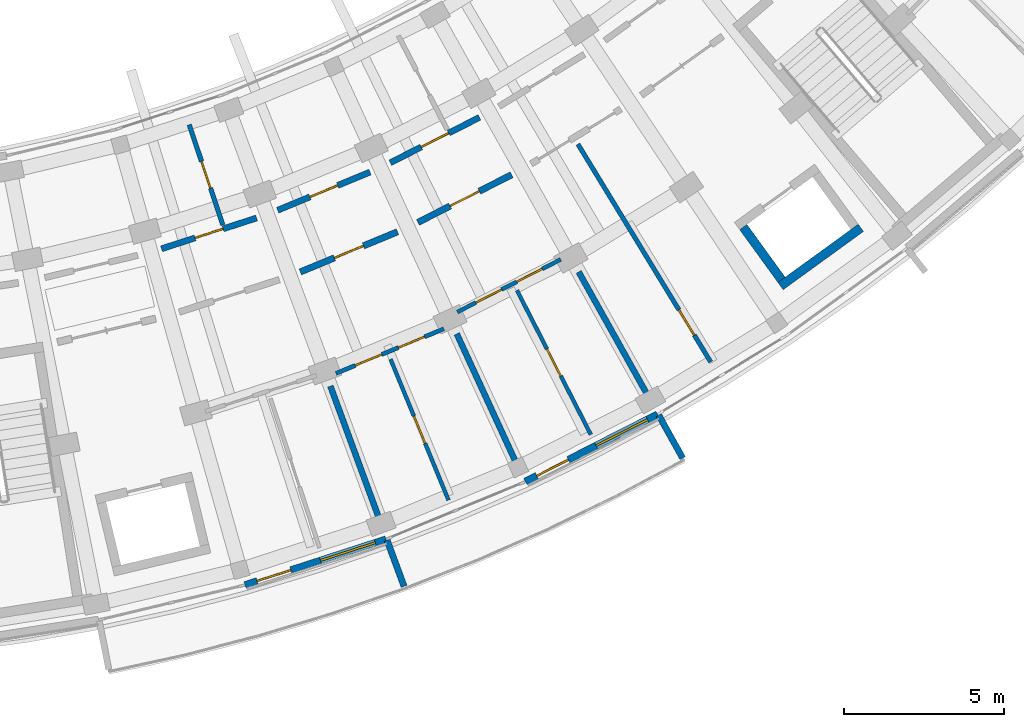
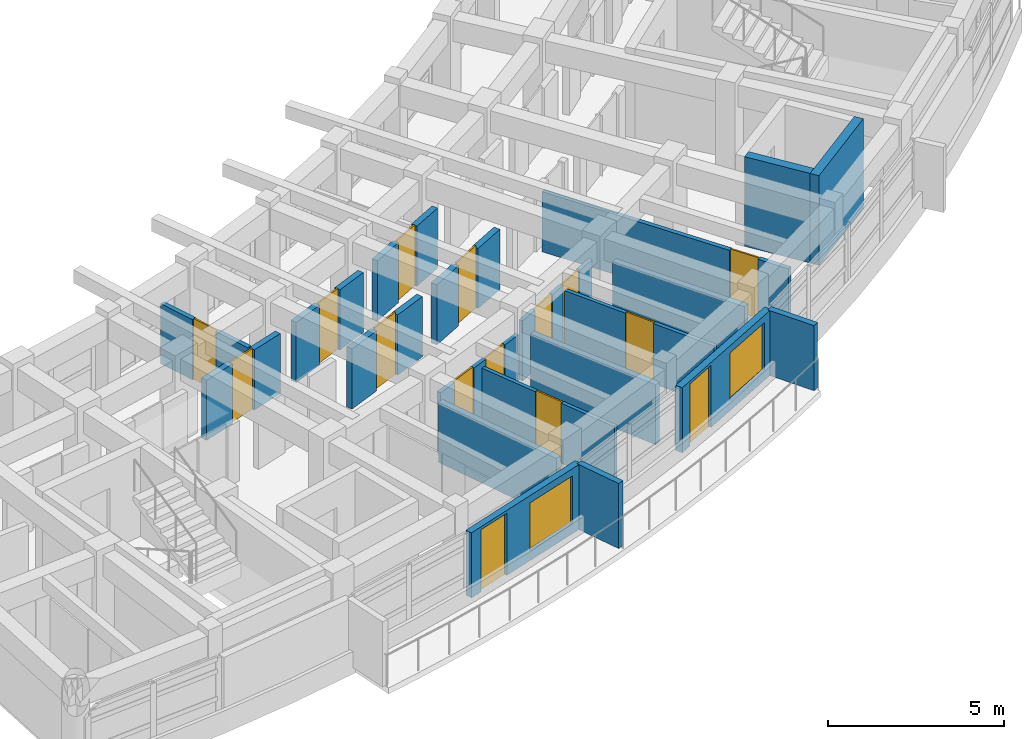
# One storey, part 53 of 70: 20 walls, 15 doors, 2 windows, 17 openings.
"""IFC4 building model written with IfcOpenShell, lengths in metres."""

from ifc_helpers import new_model, si_unit, direction, frame, frame_2d, origin, place, context, subcontext, project, spatial, rectangle, extrude, material, layer, layer_set, type_object, element, fill, save


model = new_model("IFC4")

# Units and contexts
model_context = context("Model", 3, precision=1e-05, world=origin(), true_north=direction((0.0, 1.0)))
body_context = subcontext(model_context, "Body", "Model", "MODEL_VIEW")
ifc_project = project(units=[si_unit("LENGTHUNIT", "METRE"), si_unit("AREAUNIT", "SQUARE_METRE"), si_unit("VOLUMEUNIT", "CUBIC_METRE"), si_unit("PLANEANGLEUNIT", "RADIAN"), si_unit("MASSUNIT", "GRAM", prefix="KILO")], contexts=[model_context])

# Site, building, storey
site_placement = place(None, origin())
site = spatial("IfcSite", under=ifc_project, at=site_placement, CompositionType="ELEMENT")
building_placement = place(site_placement, origin())
building = spatial("IfcBuilding", under=site, at=building_placement, Name="Zimvara Arc Housing Community", CompositionType="ELEMENT")
storey_placement = place(building_placement, frame((0.0, 0.0, 8.10009765625)))
storey = spatial("IfcBuildingStorey", under=building, at=storey_placement, Name="L02", CompositionType="ELEMENT", Elevation=8.10009765625)

# Walls
ifc_material_1 = material(Name="Board-Marked Fair-Faced Concrete C35/45", Category="concrete")
ifc_layer_1 = layer(ifc_material_1, 0.195068359375)
ifc_layer_set_1 = layer_set([ifc_layer_1], Name="Board-Marked Fair-Faced Concrete C35/45")
wall_type_1 = type_object("IfcWallType", Name="EWL-PARA-195", PredefinedType="PARAPET", material=ifc_layer_set_1)
for number, where, z_axis, x_axis, name in (
    (1, (146.49755859375, 54.0947265625, 0.0), (0.0, 0.0, 1.0), (0.345328180406, -0.938481991206, 0.0), "finwall:blkD:L02:out:b4"),
    (2, (154.968505859375, 57.990966796875, 0.0), (0.0, 0.0, 1.0), (0.487971560724, -0.872859528175, 0.0), "finwall:blkD:L02:out:b6"),
):
    element("IfcWall", number, at=place(storey_placement, frame(where, z_axis=z_axis, x_axis=x_axis)), inside=storey, type_object=wall_type_1, Name=name, PredefinedType="PARAPET", context=body_context, shape_type="SweptSolid", body=[
        extrude(rectangle(XDim=1.530029296875, YDim=0.195068359375, at=frame_2d((0.76513671875, 0.0))), origin(), (0.0, 0.0, 1.0), 2.25),
    ])

# Wall, openings, door, window
ifc_material_2 = material(Name="Board-Marked Fair-Faced Concrete C35/45", Category="concrete")
ifc_layer_2 = layer(ifc_material_2, 0.2119140625)
ifc_layer_set_2 = layer_set([ifc_layer_2], Name="Board-Marked Fair-Faced Concrete C35/45")
wall_type_2 = type_object("IfcWallType", Name="EWL-VAR-11", PredefinedType="SOLIDWALL", material=ifc_layer_set_2)
wall_1_placement = place(storey_placement, frame((142.0673828125, 52.701416015625, 0.0), z_axis=(0.0, 0.0, 1.0), x_axis=(0.951311584867, 0.308230868826, 0.0)))
wall_1 = element("IfcWall", 3, at=wall_1_placement, inside=storey, type_object=wall_type_2, Name="ewall:blkD:L02:out:b3", PredefinedType="SOLIDWALL", context=body_context, shape_type="SweptSolid", body=[
    extrude(rectangle(XDim=4.62255859375, YDim=0.2119140625, at=frame_2d((2.311279296875, 0.0))), origin(), (0.0, 0.0, 1.0), 2.25),
])
opening_1_placement = place(wall_1_placement, frame((0.39990234375, 0.0, 0.0)))
opening_1 = element("IfcOpeningElement", 4, at=opening_1_placement, cuts=wall_1, Name="Opening ED06", PredefinedType="OPENING", context=body_context, shape_type="SweptSolid", body=[
    extrude(rectangle(XDim=1.10009765625, YDim=2.14990234375, at=frame_2d((0.550048828125, 1.074951171875))), frame((0.0, 0.115966796875, 0.0), z_axis=(0.0, -1.0, 0.0), x_axis=(1.0, 0.0, 0.0)), (0.0, 0.0, 1.0), 0.23193359375),
])
opening_2_placement = place(wall_1_placement, frame((2.472412109375, 0.0, 0.35009765625)))
opening_2 = element("IfcOpeningElement", 5, at=opening_2_placement, cuts=wall_1, Name="Opening W08", PredefinedType="OPENING", context=body_context, shape_type="SweptSolid", body=[
    extrude(rectangle(XDim=1.800048828125, YDim=1.64990234375, at=frame_2d((0.89990234375, 0.824951171875))), frame((0.0, 0.115966796875, 0.0), z_axis=(0.0, -1.0, 0.0), x_axis=(1.0, 0.0, 0.0)), (0.0, 0.0, 1.0), 0.23193359375),
])
ifc_material_3 = material(Name="Anodised Aluminium AW-6063", Category="aluminium")
door_type_1 = type_object("IfcDoorType", Name="EDR-TERR-1100x2150", OperationType="NOTDEFINED", PredefinedType="DOOR", material=ifc_material_3)
door_1_placement = place(opening_1_placement, origin())
door_1 = element("IfcDoor", 6, at=door_1_placement, inside=storey, type_object=door_type_1, Name="edoor:blkD:L02:bal_out:b3", OperationType="SINGLE_SWING_LEFT", OverallHeight=2.14990234375, OverallWidth=1.10009765625, PredefinedType="DOOR", context=body_context, shape_type="SweptSolid", body=[
    extrude(rectangle(XDim=1.10009765625, YDim=2.14990234375, at=frame_2d((0.550048828125, 1.074951171875))), frame((0.0, 0.02490234375, 0.0), z_axis=(0.0, -1.0, 0.0), x_axis=(1.0, 0.0, 0.0)), (0.0, 0.0, 1.0), 0.050048828125),
])
fill(opening_1, door_1)
ifc_material_4 = material(Name="Solar Control Low-E Double Glazing", Category="glass")
window_type = type_object("IfcWindowType", Name="WIN-RES-1800x1650", PartitioningType="TRIPLE_PANEL_VERTICAL", PredefinedType="WINDOW", material=ifc_material_4)
window_1_placement = place(opening_2_placement, origin())
window_1 = element("IfcWindow", 7, at=window_1_placement, inside=storey, type_object=window_type, Name="win:blkD:L02:out:b3:balw", OverallHeight=1.64990234375, OverallWidth=1.800048828125, PartitioningType="TRIPLE_PANEL_VERTICAL", PredefinedType="WINDOW", context=body_context, shape_type="SweptSolid", body=[
    extrude(rectangle(XDim=1.800048828125, YDim=1.64990234375, at=frame_2d((0.89990234375, 0.824951171875))), frame((0.0, 0.030029296875, 0.0), z_axis=(0.0, -1.0, 0.0), x_axis=(1.0, 0.0, 0.0)), (0.0, 0.0, 1.0), 0.06005859375),
])
fill(opening_2, window_1)

ifc_material_5 = material(Name="Board-Marked Fair-Faced Concrete C35/45", Category="concrete")
ifc_layer_3 = layer(ifc_material_5, 0.22412109375)
ifc_layer_set_3 = layer_set([ifc_layer_3], Name="Board-Marked Fair-Faced Concrete C35/45")
wall_type_3 = type_object("IfcWallType", Name="EWL-VAR-13", PredefinedType="SOLIDWALL", material=ifc_layer_set_3)
wall_2_placement = place(storey_placement, frame((150.810791015625, 55.921875, 0.0), z_axis=(0.0, 0.0, 1.0), x_axis=(0.891407190547, 0.453203288428, 0.0)))
wall_2 = element("IfcWall", 8, at=wall_2_placement, inside=storey, type_object=wall_type_3, Name="ewall:blkD:L02:out:b5", PredefinedType="SOLIDWALL", context=body_context, shape_type="SweptSolid", body=[
    extrude(rectangle(XDim=4.62255859375, YDim=0.22412109375, at=frame_2d((2.311279296875, 0.0))), origin(), (0.0, 0.0, 1.0), 2.25),
])
opening_3_placement = place(wall_2_placement, frame((0.39990234375, 0.0, 0.0)))
opening_3 = element("IfcOpeningElement", 9, at=opening_3_placement, cuts=wall_2, Name="Opening ED06", PredefinedType="OPENING", context=body_context, shape_type="SweptSolid", body=[
    extrude(rectangle(XDim=1.10009765625, YDim=2.14990234375, at=frame_2d((0.550048828125, 1.074951171875))), frame((0.0, 0.1220703125, 0.0), z_axis=(0.0, -1.0, 0.0), x_axis=(1.0, 0.0, 0.0)), (0.0, 0.0, 1.0), 0.244140625),
])
opening_4_placement = place(wall_2_placement, frame((2.472412109375, 0.0, 0.35009765625)))
opening_4 = element("IfcOpeningElement", 10, at=opening_4_placement, cuts=wall_2, Name="Opening W08", PredefinedType="OPENING", context=body_context, shape_type="SweptSolid", body=[
    extrude(rectangle(XDim=1.800048828125, YDim=1.64990234375, at=frame_2d((0.89990234375, 0.824951171875))), frame((0.0, 0.1220703125, 0.0), z_axis=(0.0, -1.0, 0.0), x_axis=(1.0, 0.0, 0.0)), (0.0, 0.0, 1.0), 0.244140625),
])
door_2_placement = place(opening_3_placement, origin())
door_2 = element("IfcDoor", 11, at=door_2_placement, inside=storey, type_object=door_type_1, Name="edoor:blkD:L02:bal_out:b5", OperationType="SINGLE_SWING_LEFT", OverallHeight=2.14990234375, OverallWidth=1.10009765625, PredefinedType="DOOR", context=body_context, shape_type="SweptSolid", body=[
    extrude(rectangle(XDim=1.10009765625, YDim=2.14990234375, at=frame_2d((0.550048828125, 1.074951171875))), frame((0.0, 0.02490234375, 0.0), z_axis=(0.0, -1.0, 0.0), x_axis=(1.0, 0.0, 0.0)), (0.0, 0.0, 1.0), 0.050048828125),
])
fill(opening_3, door_2)
window_2_placement = place(opening_4_placement, origin())
window_2 = element("IfcWindow", 12, at=window_2_placement, inside=storey, type_object=window_type, Name="win:blkD:L02:out:b5:balw", OverallHeight=1.64990234375, OverallWidth=1.800048828125, PartitioningType="TRIPLE_PANEL_VERTICAL", PredefinedType="WINDOW", context=body_context, shape_type="SweptSolid", body=[
    extrude(rectangle(XDim=1.800048828125, YDim=1.64990234375, at=frame_2d((0.89990234375, 0.824951171875))), frame((0.0, 0.030029296875, 0.0), z_axis=(0.0, -1.0, 0.0), x_axis=(1.0, 0.0, 0.0)), (0.0, 0.0, 1.0), 0.06005859375),
])
fill(opening_4, window_2)

# Wall, opening, door
ifc_material_6 = material(Name="Concrete C35/45", Category="concrete")
ifc_layer_4 = layer(ifc_material_6, 0.18994140625)
ifc_layer_set_4 = layer_set([ifc_layer_4], Name="Concrete C35/45")
wall_type_4 = type_object("IfcWallType", Name="IWL-CORR-190", PredefinedType="SOLIDWALL", material=ifc_layer_set_4)
wall_3_placement = place(storey_placement, frame((139.464111328125, 63.18115234375, 0.0), z_axis=(0.0, 0.0, 1.0), x_axis=(0.951336474448, 0.308154040027, 0.0)))
wall_3 = element("IfcWall", 13, at=wall_3_placement, inside=storey, type_object=wall_type_4, Name="iwall:blkD:L02:corr_in:b3", PredefinedType="SOLIDWALL", context=body_context, shape_type="SweptSolid", body=[
    extrude(rectangle(XDim=3.115966796875, YDim=0.18994140625, at=frame_2d((1.55810546875, 0.0))), origin(), (0.0, 0.0, 1.0), 2.079833984375),
])
opening_5_placement = place(wall_3_placement, frame((1.097900390625, 0.0, 0.0)))
opening_5 = element("IfcOpeningElement", 14, at=opening_5_placement, cuts=wall_3, Name="Opening D02", PredefinedType="OPENING", context=body_context, shape_type="SweptSolid", body=[
    extrude(rectangle(XDim=0.919921875, YDim=2.10009765625, at=frame_2d((0.4599609375, 1.050048828125))), frame((0.0, 0.10498046875, 0.0), z_axis=(0.0, -1.0, 0.0), x_axis=(1.0, 0.0, 0.0)), (0.0, 0.0, 1.0), 0.2099609375),
])
ifc_material_7 = material(Name="Mozambican Hardwood", Category="wood")
door_type_2 = type_object("IfcDoorType", Name="IDR-RM-0920x2100", OperationType="NOTDEFINED", PredefinedType="DOOR", material=ifc_material_7)
door_3_placement = place(opening_5_placement, origin())
door_3 = element("IfcDoor", 15, at=door_3_placement, inside=storey, type_object=door_type_2, Name="idoor:blkD:L02:in_rm:b3", OperationType="SINGLE_SWING_RIGHT", OverallHeight=2.10009765625, OverallWidth=0.919921875, PredefinedType="DOOR", context=body_context, shape_type="SweptSolid", body=[
    extrude(rectangle(XDim=0.919921875, YDim=2.10009765625, at=frame_2d((0.4599609375, 1.050048828125))), frame((0.0, 0.02490234375, 0.0), z_axis=(0.0, -1.0, 0.0), x_axis=(1.0, 0.0, 0.0)), (0.0, 0.0, 1.0), 0.050048828125),
])
fill(opening_5, door_3)

wall_4_placement = place(storey_placement, frame((143.0849609375, 64.3828125, 0.0), z_axis=(0.0, 0.0, 1.0), x_axis=(0.924213340202, 0.381876553081, 0.0)))
wall_4 = element("IfcWall", 16, at=wall_4_placement, inside=storey, type_object=wall_type_4, Name="iwall:blkD:L02:corr_in:b4", PredefinedType="SOLIDWALL", context=body_context, shape_type="SweptSolid", body=[
    extrude(rectangle(XDim=3.115966796875, YDim=0.18994140625, at=frame_2d((1.55810546875, 0.0))), origin(), (0.0, 0.0, 1.0), 2.079833984375),
])
opening_6_placement = place(wall_4_placement, frame((1.087890625, 0.0, 0.0)))
opening_6 = element("IfcOpeningElement", 17, at=opening_6_placement, cuts=wall_4, Name="Opening D03", PredefinedType="OPENING", context=body_context, shape_type="SweptSolid", body=[
    extrude(rectangle(XDim=0.93994140625, YDim=2.10009765625, at=frame_2d((0.469970703125, 1.050048828125))), frame((0.0, 0.10498046875, 0.0), z_axis=(0.0, -1.0, 0.0), x_axis=(1.0, 0.0, 0.0)), (0.0, 0.0, 1.0), 0.2099609375),
])
ifc_material_8 = material(Name="Mozambican Hardwood", Category="wood")
door_type_3 = type_object("IfcDoorType", Name="IDR-RM-0940x2100", OperationType="NOTDEFINED", PredefinedType="DOOR", material=ifc_material_8)
door_4_placement = place(opening_6_placement, origin())
door_4 = element("IfcDoor", 18, at=door_4_placement, inside=storey, type_object=door_type_3, Name="idoor:blkD:L02:in_rm:b4", OperationType="SINGLE_SWING_RIGHT", OverallHeight=2.10009765625, OverallWidth=0.93994140625, PredefinedType="DOOR", context=body_context, shape_type="SweptSolid", body=[
    extrude(rectangle(XDim=0.93994140625, YDim=2.10009765625, at=frame_2d((0.469970703125, 1.050048828125))), frame((0.0, 0.02490234375, 0.0), z_axis=(0.0, -1.0, 0.0), x_axis=(1.0, 0.0, 0.0)), (0.0, 0.0, 1.0), 0.050048828125),
])
fill(opening_6, door_4)

wall_5_placement = place(storey_placement, frame((146.600341796875, 65.865234375, 0.0), z_axis=(0.0, 0.0, 1.0), x_axis=(0.891414101388, 0.453189695212, 0.0)))
wall_5 = element("IfcWall", 19, at=wall_5_placement, inside=storey, type_object=wall_type_4, Name="iwall:blkD:L02:corr_in:b5", PredefinedType="SOLIDWALL", context=body_context, shape_type="SweptSolid", body=[
    extrude(rectangle(XDim=3.115966796875, YDim=0.18994140625, at=frame_2d((1.55810546875, 0.0))), origin(), (0.0, 0.0, 1.0), 2.079833984375),
])
opening_7_placement = place(wall_5_placement, frame((1.077880859375, 0.0, 0.0)))
opening_7 = element("IfcOpeningElement", 20, at=opening_7_placement, cuts=wall_5, Name="Opening D04", PredefinedType="OPENING", context=body_context, shape_type="SweptSolid", body=[
    extrude(rectangle(XDim=0.9599609375, YDim=2.10009765625, at=frame_2d((0.47998046875, 1.050048828125))), frame((0.0, 0.10498046875, 0.0), z_axis=(0.0, -1.0, 0.0), x_axis=(1.0, 0.0, 0.0)), (0.0, 0.0, 1.0), 0.2099609375),
])
ifc_material_9 = material(Name="Mozambican Hardwood", Category="wood")
door_type_4 = type_object("IfcDoorType", Name="IDR-RM-0960x2100", OperationType="NOTDEFINED", PredefinedType="DOOR", material=ifc_material_9)
door_5_placement = place(opening_7_placement, origin())
door_5 = element("IfcDoor", 21, at=door_5_placement, inside=storey, type_object=door_type_4, Name="idoor:blkD:L02:in_rm:b5", OperationType="SINGLE_SWING_LEFT", OverallHeight=2.10009765625, OverallWidth=0.9599609375, PredefinedType="DOOR", context=body_context, shape_type="SweptSolid", body=[
    extrude(rectangle(XDim=0.9599609375, YDim=2.10009765625, at=frame_2d((0.47998046875, 1.050048828125))), frame((0.0, 0.02490234375, 0.0), z_axis=(0.0, -1.0, 0.0), x_axis=(1.0, 0.0, 0.0)), (0.0, 0.0, 1.0), 0.050048828125),
])
fill(opening_7, door_5)

ifc_material_10 = material(Name="Concrete C35/45", Category="concrete")
ifc_layer_5 = layer(ifc_material_10, 0.199951171875)
ifc_layer_set_5 = layer_set([ifc_layer_5], Name="Concrete C35/45")
wall_type_5 = type_object("IfcWallType", Name="IWL-CORR-200", PredefinedType="SOLIDWALL", material=ifc_layer_set_5)
wall_6_placement = place(storey_placement, frame((143.792724609375, 62.458984375, 0.0), z_axis=(0.0, 0.0, 1.0), x_axis=(0.924214561665, 0.381873596896, 0.0)))
wall_6 = element("IfcWall", 22, at=wall_6_placement, inside=storey, type_object=wall_type_5, Name="iwall:blkD:L02:corr_out:b4", PredefinedType="SOLIDWALL", context=body_context, shape_type="SweptSolid", body=[
    extrude(rectangle(XDim=3.277099609375, YDim=0.199951171875, at=frame_2d((1.638671875, 0.0))), origin(), (0.0, 0.0, 1.0), 2.079833984375),
])
opening_8_placement = place(wall_6_placement, frame((1.1484375, 0.0, 0.0)))
opening_8 = element("IfcOpeningElement", 23, at=opening_8_placement, cuts=wall_6, Name="Opening FD-FL1", PredefinedType="OPENING", context=body_context, shape_type="SweptSolid", body=[
    extrude(rectangle(XDim=0.97998046875, YDim=2.14990234375, at=frame_2d((0.489990234375, 1.074951171875))), frame((0.0, 0.10986328125, 0.0), z_axis=(0.0, -1.0, 0.0), x_axis=(1.0, 0.0, 0.0)), (0.0, 0.0, 1.0), 0.219970703125),
])
ifc_material_11 = material(Name="Mozambican Hardwood", Category="wood")
door_type_5 = type_object("IfcDoorType", Name="IDR-FLAT-0980x2150", OperationType="NOTDEFINED", PredefinedType="DOOR", material=ifc_material_11)
door_6_placement = place(opening_8_placement, origin())
door_6 = element("IfcDoor", 24, at=door_6_placement, inside=storey, type_object=door_type_5, Name="idoor:blkD:L02:flat:b4", OperationType="SINGLE_SWING_LEFT", OverallHeight=2.14990234375, OverallWidth=0.97998046875, PredefinedType="DOOR", context=body_context, shape_type="SweptSolid", body=[
    extrude(rectangle(XDim=0.97998046875, YDim=2.14990234375, at=frame_2d((0.489990234375, 1.074951171875))), frame((0.0, 0.02490234375, 0.0), z_axis=(0.0, -1.0, 0.0), x_axis=(1.0, 0.0, 0.0)), (0.0, 0.0, 1.0), 0.050048828125),
])
fill(opening_8, door_6)

wall_7_placement = place(storey_placement, frame((147.45703125, 64.002685546875, 0.0), z_axis=(0.0, 0.0, 1.0), x_axis=(0.891412167565, 0.45319349898, 0.0)))
wall_7 = element("IfcWall", 25, at=wall_7_placement, inside=storey, type_object=wall_type_5, Name="iwall:blkD:L02:corr_out:b5", PredefinedType="SOLIDWALL", context=body_context, shape_type="SweptSolid", body=[
    extrude(rectangle(XDim=3.277099609375, YDim=0.199951171875, at=frame_2d((1.638671875, 0.0))), origin(), (0.0, 0.0, 1.0), 2.079833984375),
])
opening_9_placement = place(wall_7_placement, frame((1.12841796875, 0.0, 0.0)))
opening_9 = element("IfcOpeningElement", 26, at=opening_9_placement, cuts=wall_7, Name="Opening FD-FL2", PredefinedType="OPENING", context=body_context, shape_type="SweptSolid", body=[
    extrude(rectangle(XDim=1.02001953125, YDim=2.14990234375, at=frame_2d((0.510009765625, 1.074951171875))), frame((0.0, 0.10986328125, 0.0), z_axis=(0.0, -1.0, 0.0), x_axis=(1.0, 0.0, 0.0)), (0.0, 0.0, 1.0), 0.219970703125),
])
ifc_material_12 = material(Name="Mozambican Hardwood", Category="wood")
door_type_6 = type_object("IfcDoorType", Name="IDR-FLAT-1020x2150", OperationType="NOTDEFINED", PredefinedType="DOOR", material=ifc_material_12)
door_7_placement = place(opening_9_placement, origin())
door_7 = element("IfcDoor", 27, at=door_7_placement, inside=storey, type_object=door_type_6, Name="idoor:blkD:L02:flat:b5", OperationType="SINGLE_SWING_RIGHT", OverallHeight=2.14990234375, OverallWidth=1.02001953125, PredefinedType="DOOR", context=body_context, shape_type="SweptSolid", body=[
    extrude(rectangle(XDim=1.02001953125, YDim=2.14990234375, at=frame_2d((0.510009765625, 1.074951171875))), frame((0.0, 0.02490234375, 0.0), z_axis=(0.0, -1.0, 0.0), x_axis=(1.0, 0.0, 0.0)), (0.0, 0.0, 1.0), 0.050048828125),
])
fill(opening_9, door_7)

# Walls
ifc_material_13 = material(Name="Concrete C35/45", Category="concrete")
ifc_layer_6 = layer(ifc_material_13, 0.18505859375)
ifc_layer_set_6 = layer_set([ifc_layer_6], Name="Concrete C35/45")
wall_type_6 = type_object("IfcWallType", Name="IWL-FLAT-185", PredefinedType="SOLIDWALL", material=ifc_layer_set_6)
for number, where, z_axis, x_axis, name in (
    (28, (144.729736328125, 58.89990234375, 0.0), (0.0, 0.0, 1.0), (0.345273579683, -0.938502080537, 0.0), "iwall:blkD:L02:party:b4"),
    (29, (148.670166015625, 60.528076171875, 0.0), (0.0, 0.0, 1.0), (0.417837051164, -0.908521985796, 0.0), "iwall:blkD:L02:party:b5"),
    (30, (152.470703125, 62.46044921875, 0.0), (0.0, 0.0, 1.0), (0.487866639184, -0.872918176218, 0.0), "iwall:blkD:L02:party:b6"),
):
    element("IfcWall", number, at=place(storey_placement, frame(where, z_axis=z_axis, x_axis=x_axis)), inside=storey, type_object=wall_type_6, Name=name, PredefinedType="SOLIDWALL", context=body_context, shape_type="SweptSolid", body=[
        extrude(rectangle(XDim=4.35009765625, YDim=0.18505859375, at=frame_2d((2.175048828125, 0.0))), origin(), (0.0, 0.0, 1.0), 2.079833984375),
    ])

# Wall, opening, door
ifc_material_14 = material(Name="Painted Acoustic Plasterboard")
ifc_layer_7 = layer(ifc_material_14, 0.1201171875)
ifc_layer_set_7 = layer_set([ifc_layer_7], Name="Painted Acoustic Plasterboard")
wall_type_7 = type_object("IfcWallType", Name="IWL-PART-120", PredefinedType="PARTITIONING", material=ifc_layer_set_7)
wall_8_placement = place(storey_placement, frame((146.605224609375, 59.73779296875, 0.0), z_axis=(0.0, 0.0, 1.0), x_axis=(0.380553327256, -0.924758976769, 0.0)))
wall_8 = element("IfcWall", 31, at=wall_8_placement, inside=storey, type_object=wall_type_7, Name="iwall:blkD:L02:bed_div:b4", PredefinedType="PARTITIONING", context=body_context, shape_type="SweptSolid", body=[
    extrude(rectangle(XDim=4.75, YDim=0.1201171875, at=frame_2d((2.375, 0.0))), origin(), (0.0, 0.0, 1.0), 2.079833984375),
])
opening_10_placement = place(wall_8_placement, frame((1.9150390625, 0.0, 0.0)))
opening_10 = element("IfcOpeningElement", 32, at=opening_10_placement, cuts=wall_8, Name="Opening D02", PredefinedType="OPENING", context=body_context, shape_type="SweptSolid", body=[
    extrude(rectangle(XDim=0.919921875, YDim=2.10009765625, at=frame_2d((0.4599609375, 1.050048828125))), frame((0.0, 0.070068359375, 0.0), z_axis=(0.0, -1.0, 0.0), x_axis=(1.0, 0.0, 0.0)), (0.0, 0.0, 1.0), 0.14013671875),
])
door_8_placement = place(opening_10_placement, origin())
door_8 = element("IfcDoor", 33, at=door_8_placement, inside=storey, type_object=door_type_2, Name="idoor:blkD:L02:bed_d:b4", OperationType="SINGLE_SWING_LEFT", OverallHeight=2.10009765625, OverallWidth=0.919921875, PredefinedType="DOOR", context=body_context, shape_type="SweptSolid", body=[
    extrude(rectangle(XDim=0.919921875, YDim=2.10009765625, at=frame_2d((0.4599609375, 1.050048828125))), frame((0.0, 0.02490234375, 0.0), z_axis=(0.0, -1.0, 0.0), x_axis=(1.0, 0.0, 0.0)), (0.0, 0.0, 1.0), 0.050048828125),
])
fill(opening_10, door_8)

wall_9_placement = place(storey_placement, frame((150.546875, 61.88427734375, 0.0), z_axis=(0.0, 0.0, 1.0), x_axis=(0.455778725258, -0.89009311513, 0.0)))
wall_9 = element("IfcWall", 34, at=wall_9_placement, inside=storey, type_object=wall_type_7, Name="iwall:blkD:L02:bed_div:b5", PredefinedType="PARTITIONING", context=body_context, shape_type="SweptSolid", body=[
    extrude(rectangle(XDim=5.050048828125, YDim=0.1201171875, at=frame_2d((2.52490234375, 0.0))), origin(), (0.0, 0.0, 1.0), 2.079833984375),
])
opening_11_placement = place(wall_9_placement, frame((2.054931640625, 0.0, 0.0)))
opening_11 = element("IfcOpeningElement", 35, at=opening_11_placement, cuts=wall_9, Name="Opening D03", PredefinedType="OPENING", context=body_context, shape_type="SweptSolid", body=[
    extrude(rectangle(XDim=0.93994140625, YDim=2.10009765625, at=frame_2d((0.469970703125, 1.050048828125))), frame((0.0, 0.070068359375, 0.0), z_axis=(0.0, -1.0, 0.0), x_axis=(1.0, 0.0, 0.0)), (0.0, 0.0, 1.0), 0.14013671875),
])
door_9_placement = place(opening_11_placement, origin())
door_9 = element("IfcDoor", 36, at=door_9_placement, inside=storey, type_object=door_type_3, Name="idoor:blkD:L02:bed_d:b5", OperationType="SINGLE_SWING_LEFT", OverallHeight=2.10009765625, OverallWidth=0.93994140625, PredefinedType="DOOR", context=body_context, shape_type="SweptSolid", body=[
    extrude(rectangle(XDim=0.93994140625, YDim=2.10009765625, at=frame_2d((0.469970703125, 1.050048828125))), frame((0.0, 0.02490234375, 0.0), z_axis=(0.0, -1.0, 0.0), x_axis=(1.0, 0.0, 0.0)), (0.0, 0.0, 1.0), 0.050048828125),
])
fill(opening_11, door_9)

# Wall, openings, doors
ifc_material_15 = material(Name="Painted Acoustic Plasterboard")
ifc_layer_8 = layer(ifc_material_15, 0.125)
ifc_layer_set_8 = layer_set([ifc_layer_8], Name="Painted Acoustic Plasterboard")
wall_type_8 = type_object("IfcWallType", Name="IWL-PART-125", PredefinedType="PARTITIONING", material=ifc_layer_set_8)
wall_10_placement = place(storey_placement, frame((148.686767578125, 61.208984375, 0.0), z_axis=(0.0, 0.0, 1.0), x_axis=(0.891396224028, 0.453224857866, 0.0)))
wall_10 = element("IfcWall", 37, at=wall_10_placement, inside=storey, type_object=wall_type_8, Name="iwall:blkD:L02:srv:b5", PredefinedType="PARTITIONING", context=body_context, shape_type="SweptSolid", body=[
    extrude(rectangle(XDim=3.61669921875, YDim=0.125, at=frame_2d((1.808349609375, 0.0))), origin(), (0.0, 0.0, 1.0), 2.079833984375),
])
opening_12_placement = place(wall_10_placement, frame((0.64990234375, 0.0, 0.0)))
opening_12 = element("IfcOpeningElement", 38, at=opening_12_placement, cuts=wall_10, Name="Opening D01", PredefinedType="OPENING", context=body_context, shape_type="SweptSolid", body=[
    extrude(rectangle(XDim=0.89990234375, YDim=2.10009765625, at=frame_2d((0.449951171875, 1.050048828125))), frame((0.0, 0.072509765625, 0.0), z_axis=(0.0, -1.0, 0.0), x_axis=(1.0, 0.0, 0.0)), (0.0, 0.0, 1.0), 0.14501953125),
])
opening_13_placement = place(wall_10_placement, frame((2.08642578125, 0.0, 0.0)))
opening_13 = element("IfcOpeningElement", 39, at=opening_13_placement, cuts=wall_10, Name="Opening D05", PredefinedType="OPENING", context=body_context, shape_type="SweptSolid", body=[
    extrude(rectangle(XDim=0.8798828125, YDim=2.10009765625, at=frame_2d((0.43994140625, 1.050048828125))), frame((0.0, 0.072509765625, 0.0), z_axis=(0.0, -1.0, 0.0), x_axis=(1.0, 0.0, 0.0)), (0.0, 0.0, 1.0), 0.14501953125),
])
ifc_material_16 = material(Name="Mozambican Hardwood", Category="wood")
door_type_7 = type_object("IfcDoorType", Name="IDR-RM-0900x2100", OperationType="NOTDEFINED", PredefinedType="DOOR", material=ifc_material_16)
door_10_placement = place(opening_12_placement, origin())
door_10 = element("IfcDoor", 40, at=door_10_placement, inside=storey, type_object=door_type_7, Name="idoor:blkD:L02:kit_liv:b5", OperationType="SINGLE_SWING_LEFT", OverallHeight=2.10009765625, OverallWidth=0.89990234375, PredefinedType="DOOR", context=body_context, shape_type="SweptSolid", body=[
    extrude(rectangle(XDim=0.89990234375, YDim=2.10009765625, at=frame_2d((0.449951171875, 1.050048828125))), frame((0.0, 0.02490234375, 0.0), z_axis=(0.0, -1.0, 0.0), x_axis=(1.0, 0.0, 0.0)), (0.0, 0.0, 1.0), 0.050048828125),
])
fill(opening_12, door_10)
ifc_material_17 = material(Name="Mozambican Hardwood", Category="wood")
door_type_8 = type_object("IfcDoorType", Name="IDR-WC-0880x2100", OperationType="NOTDEFINED", PredefinedType="DOOR", material=ifc_material_17)
door_11_placement = place(opening_13_placement, origin())
door_11 = element("IfcDoor", 41, at=door_11_placement, inside=storey, type_object=door_type_8, Name="idoor:blkD:L02:bath_d:b5", OperationType="SINGLE_SWING_RIGHT", OverallHeight=2.10009765625, OverallWidth=0.8798828125, PredefinedType="DOOR", context=body_context, shape_type="SweptSolid", body=[
    extrude(rectangle(XDim=0.8798828125, YDim=2.10009765625, at=frame_2d((0.43994140625, 1.050048828125))), frame((0.0, 0.02490234375, 0.0), z_axis=(0.0, -1.0, 0.0), x_axis=(1.0, 0.0, 0.0)), (0.0, 0.0, 1.0), 0.050048828125),
])
fill(opening_13, door_11)

ifc_material_18 = material(Name="Painted Acoustic Plasterboard")
ifc_layer_9 = layer(ifc_material_18, 0.1298828125)
ifc_layer_set_9 = layer_set([ifc_layer_9], Name="Painted Acoustic Plasterboard")
wall_type_9 = type_object("IfcWallType", Name="IWL-PART-130", PredefinedType="PARTITIONING", material=ifc_layer_set_9)
wall_11_placement = place(storey_placement, frame((144.9033203125, 59.2958984375, 0.0), z_axis=(0.0, 0.0, 1.0), x_axis=(0.924207914011, 0.381889685223, 0.0)))
wall_11 = element("IfcWall", 42, at=wall_11_placement, inside=storey, type_object=wall_type_9, Name="iwall:blkD:L02:srv:b4", PredefinedType="PARTITIONING", context=body_context, shape_type="SweptSolid", body=[
    extrude(rectangle(XDim=3.64013671875, YDim=0.1298828125, at=frame_2d((1.820068359375, 0.0))), origin(), (0.0, 0.0, 1.0), 2.079833984375),
])
opening_14_placement = place(wall_11_placement, frame((0.64990234375, 0.0, 0.0)))
opening_14 = element("IfcOpeningElement", 43, at=opening_14_placement, cuts=wall_11, Name="Opening D01", PredefinedType="OPENING", context=body_context, shape_type="SweptSolid", body=[
    extrude(rectangle(XDim=0.89990234375, YDim=2.10009765625, at=frame_2d((0.449951171875, 1.050048828125))), frame((0.0, 0.074951171875, 0.0), z_axis=(0.0, -1.0, 0.0), x_axis=(1.0, 0.0, 0.0)), (0.0, 0.0, 1.0), 0.14990234375),
])
opening_15_placement = place(wall_11_placement, frame((2.110107421875, 0.0, 0.0)))
opening_15 = element("IfcOpeningElement", 44, at=opening_15_placement, cuts=wall_11, Name="Opening D05", PredefinedType="OPENING", context=body_context, shape_type="SweptSolid", body=[
    extrude(rectangle(XDim=0.8798828125, YDim=2.10009765625, at=frame_2d((0.43994140625, 1.050048828125))), frame((0.0, 0.074951171875, 0.0), z_axis=(0.0, -1.0, 0.0), x_axis=(1.0, 0.0, 0.0)), (0.0, 0.0, 1.0), 0.14990234375),
])
door_12_placement = place(opening_14_placement, origin())
door_12 = element("IfcDoor", 45, at=door_12_placement, inside=storey, type_object=door_type_7, Name="idoor:blkD:L02:kit_liv:b4", OperationType="SINGLE_SWING_LEFT", OverallHeight=2.10009765625, OverallWidth=0.89990234375, PredefinedType="DOOR", context=body_context, shape_type="SweptSolid", body=[
    extrude(rectangle(XDim=0.89990234375, YDim=2.10009765625, at=frame_2d((0.449951171875, 1.050048828125))), frame((0.0, 0.02490234375, 0.0), z_axis=(0.0, -1.0, 0.0), x_axis=(1.0, 0.0, 0.0)), (0.0, 0.0, 1.0), 0.050048828125),
])
fill(opening_14, door_12)
door_13_placement = place(opening_15_placement, origin())
door_13 = element("IfcDoor", 46, at=door_13_placement, inside=storey, type_object=door_type_8, Name="idoor:blkD:L02:bath_d:b4", OperationType="SINGLE_SWING_RIGHT", OverallHeight=2.10009765625, OverallWidth=0.8798828125, PredefinedType="DOOR", context=body_context, shape_type="SweptSolid", body=[
    extrude(rectangle(XDim=0.8798828125, YDim=2.10009765625, at=frame_2d((0.43994140625, 1.050048828125))), frame((0.0, 0.02490234375, 0.0), z_axis=(0.0, -1.0, 0.0), x_axis=(1.0, 0.0, 0.0)), (0.0, 0.0, 1.0), 0.050048828125),
])
fill(opening_15, door_13)

# Wall, opening, door
ifc_material_19 = material(Name="Painted Acoustic Plasterboard")
ifc_layer_10 = layer(ifc_material_19, 0.139892578125)
ifc_layer_set_10 = layer_set([ifc_layer_10], Name="Painted Acoustic Plasterboard")
wall_type_10 = type_object("IfcWallType", Name="IWL-PART-140", PredefinedType="PARTITIONING", material=ifc_layer_set_10)
wall_12_placement = place(storey_placement, frame((152.448486328125, 66.44189453125, 0.0), z_axis=(0.0, 0.0, 1.0), x_axis=(0.520511872578, -0.853854431683, 0.0)))
wall_12 = element("IfcWall", 47, at=wall_12_placement, inside=storey, type_object=wall_type_10, Name="iwall:blkD:L02:amen_div:b6", PredefinedType="PARTITIONING", context=body_context, shape_type="SweptSolid", body=[
    extrude(rectangle(XDim=7.9501953125, YDim=0.139892578125, at=frame_2d((3.97509765625, 0.0))), origin(), (0.0, 0.0, 1.0), 2.079833984375),
])
opening_16_placement = place(wall_12_placement, frame((6.050048828125, 0.0, 0.0)))
opening_16 = element("IfcOpeningElement", 48, at=opening_16_placement, cuts=wall_12, Name="Opening D02", PredefinedType="OPENING", context=body_context, shape_type="SweptSolid", body=[
    extrude(rectangle(XDim=0.919921875, YDim=2.10009765625, at=frame_2d((0.4599609375, 1.050048828125))), frame((0.0, 0.079833984375, 0.0), z_axis=(0.0, -1.0, 0.0), x_axis=(1.0, 0.0, 0.0)), (0.0, 0.0, 1.0), 0.159912109375),
])
door_14_placement = place(opening_16_placement, origin())
door_14 = element("IfcDoor", 49, at=door_14_placement, inside=storey, type_object=door_type_2, Name="idoor:blkD:L02:laund_d:b6", OperationType="SINGLE_SWING_LEFT", OverallHeight=2.10009765625, OverallWidth=0.919921875, PredefinedType="DOOR", context=body_context, shape_type="SweptSolid", body=[
    extrude(rectangle(XDim=0.919921875, YDim=2.10009765625, at=frame_2d((0.4599609375, 1.050048828125))), frame((0.0, 0.02490234375, 0.0), z_axis=(0.0, -1.0, 0.0), x_axis=(1.0, 0.0, 0.0)), (0.0, 0.0, 1.0), 0.050048828125),
])
fill(opening_16, door_14)

ifc_material_20 = material(Name="Painted Acoustic Plasterboard")
ifc_layer_11 = layer(ifc_material_20, 0.14501953125)
ifc_layer_set_11 = layer_set([ifc_layer_11], Name="Painted Acoustic Plasterboard")
wall_type_11 = type_object("IfcWallType", Name="IWL-WET-145", PredefinedType="PARTITIONING", material=ifc_layer_set_11)
wall_13_placement = place(storey_placement, frame((140.328369140625, 67.050537109375, 0.0), z_axis=(0.0, 0.0, 1.0), x_axis=(0.317825321803, -0.948149284038, 0.0)))
wall_13 = element("IfcWall", 50, at=wall_13_placement, inside=storey, type_object=wall_type_11, Name="iwall:blkD:L02:ens:b3", PredefinedType="PARTITIONING", context=body_context, shape_type="SweptSolid", body=[
    extrude(rectangle(XDim=3.300048828125, YDim=0.14501953125, at=frame_2d((1.64990234375, 0.0))), origin(), (0.0, 0.0, 1.0), 2.079833984375),
])
opening_17_placement = place(wall_13_placement, frame((1.2099609375, 0.0, 0.0)))
opening_17 = element("IfcOpeningElement", 51, at=opening_17_placement, cuts=wall_13, Name="Opening D05", PredefinedType="OPENING", context=body_context, shape_type="SweptSolid", body=[
    extrude(rectangle(XDim=0.8798828125, YDim=2.10009765625, at=frame_2d((0.43994140625, 1.050048828125))), frame((0.0, 0.08251953125, 0.0), z_axis=(0.0, -1.0, 0.0), x_axis=(1.0, 0.0, 0.0)), (0.0, 0.0, 1.0), 0.1650390625),
])
door_15_placement = place(opening_17_placement, origin())
door_15 = element("IfcDoor", 52, at=door_15_placement, inside=storey, type_object=door_type_8, Name="idoor:blkD:L02:ens_d:b3", OperationType="SINGLE_SWING_LEFT", OverallHeight=2.10009765625, OverallWidth=0.8798828125, PredefinedType="DOOR", context=body_context, shape_type="SweptSolid", body=[
    extrude(rectangle(XDim=0.8798828125, YDim=2.10009765625, at=frame_2d((0.43994140625, 1.050048828125))), frame((0.0, 0.02490234375, 0.0), z_axis=(0.0, -1.0, 0.0), x_axis=(1.0, 0.0, 0.0)), (0.0, 0.0, 1.0), 0.050048828125),
])
fill(opening_17, door_15)

# Walls
ifc_material_21 = material(Name="Concrete C40/50", Category="concrete")
ifc_layer_12 = layer(ifc_material_21, 0.280029296875)
ifc_layer_set_12 = layer_set([ifc_layer_12], Name="Concrete C40/50")
wall_type_12 = type_object("IfcWallType", Name="WL-CORE-280", PredefinedType="SHEAR", material=ifc_layer_set_12)
wall_14_placement = place(storey_placement, frame((158.76513671875, 62.0205078125, 0.0), z_axis=(0.0, 0.0, 1.0), x_axis=(0.809548485838, 0.587053020669, 0.0)))
element("IfcWall", 53, at=wall_14_placement, inside=storey, type_object=wall_type_12, Name="lwall:LP-D2:L02:back", PredefinedType="SHEAR", context=body_context, shape_type="SweptSolid", body=[
    extrude(rectangle(XDim=3.08984375, YDim=0.280029296875, at=frame_2d((1.544921875, 0.0))), origin(), (0.0, 0.0, 1.0), 3.099853515625),
])
wall_15_placement = place(storey_placement, frame((157.6044921875, 63.859375, 0.0), z_axis=(0.0, 0.0, 1.0), x_axis=(0.587127188998, -0.809494696671, 0.0)))
element("IfcWall", 54, at=wall_15_placement, inside=storey, type_object=wall_type_12, Name="lwall:LP-D2:L02:left", PredefinedType="SHEAR", context=body_context, shape_type="SweptSolid", body=[
    extrude(rectangle(XDim=2.030029296875, YDim=0.280029296875, at=frame_2d((1.01513671875, 0.0))), origin(), (0.0, 0.0, 1.0), 3.099853515625),
])

save(model, "model.ifc")
